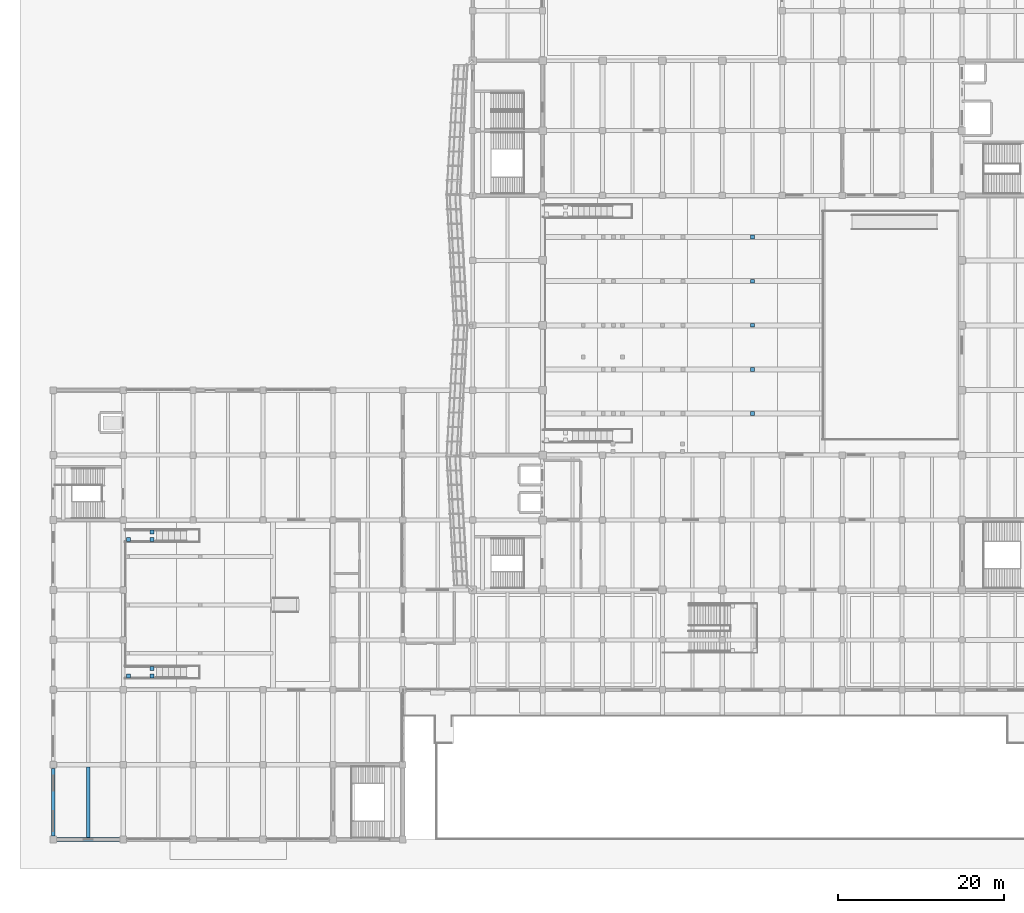
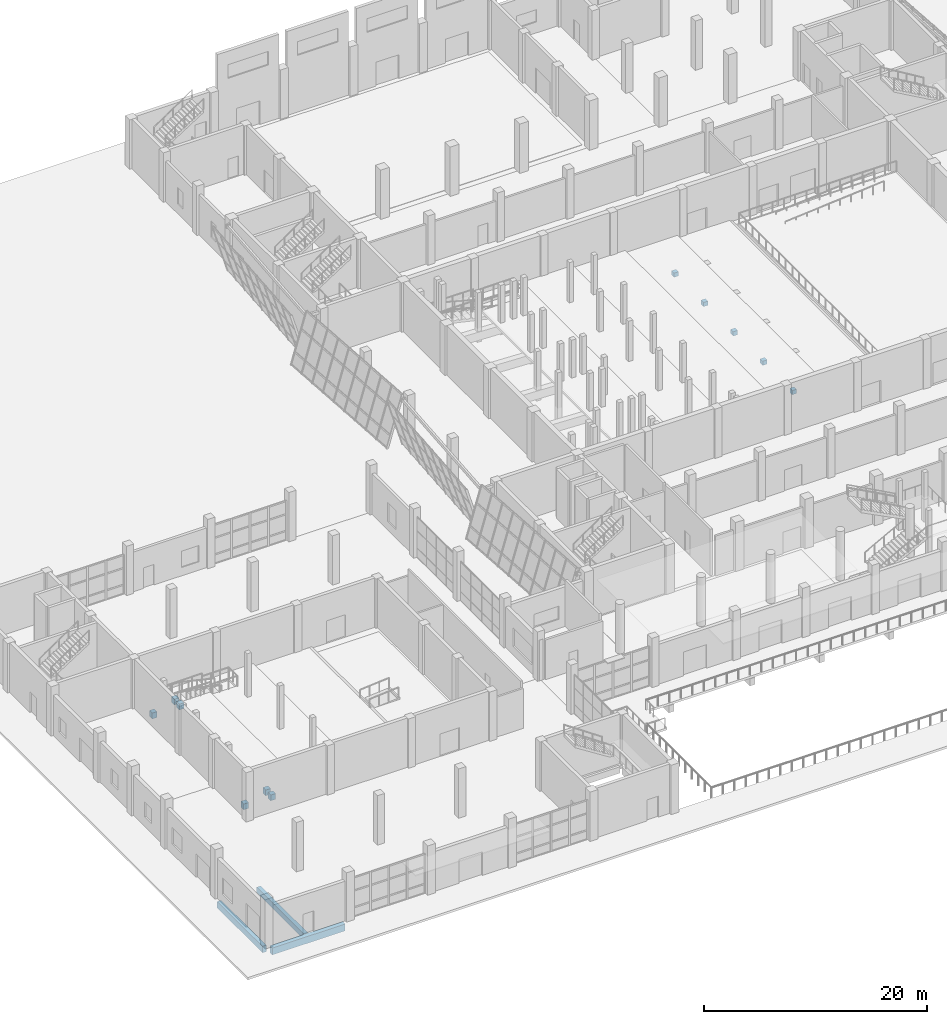
# One storey, part 3 of 78: 11 columns, 3 beams.
"""IFC4 building model written with IfcOpenShell, lengths in metres."""

from ifc_helpers import new_model, si_unit, direction, frame, origin, origin_2d, place, context, subcontext, project, spatial, rectangle, extrude, material, material_profile, profile_set, type_object, element, save


model = new_model("IFC4")

# Units and contexts
model_context = context("Model", 3, precision=1e-05, world=origin(), true_north=direction((0.0, 1.0)))
body_context = subcontext(model_context, "Body", "Model", "MODEL_VIEW")
ifc_project = project(units=[si_unit("LENGTHUNIT", "METRE"), si_unit("AREAUNIT", "SQUARE_METRE"), si_unit("VOLUMEUNIT", "CUBIC_METRE"), si_unit("PLANEANGLEUNIT", "RADIAN"), si_unit("MASSUNIT", "GRAM", prefix="KILO")], contexts=[model_context])

# Site, building, storey
site_placement = place(None, origin())
site = spatial("IfcSite", under=ifc_project, at=site_placement, CompositionType="ELEMENT")
building_placement = place(site_placement, origin())
building = spatial("IfcBuilding", under=site, at=building_placement, Name="Pellamere Symphony Hall", CompositionType="ELEMENT")
storey_placement = place(building_placement, origin())
storey = spatial("IfcBuildingStorey", under=building, at=storey_placement, Name="L00", CompositionType="ELEMENT", Elevation=0.0)

# Columns
ifc_material_1 = material(Name="Concrete 35 MPa", Category="concrete")
ifc_material_profile_1 = material_profile(ifc_material_1, rectangle(XDim=0.5, YDim=0.5, at=origin_2d()), Name="RC 500x500")
ifc_profile_set_1 = profile_set([ifc_material_profile_1], Name="Concrete 35 MPa")
column_type_1 = type_object("IfcColumnType", Name="RC Column CC-10 500x500", PredefinedType="COLUMN", material=ifc_profile_set_1)
for number, where, z_axis, x_axis, name in (
    (1, (9.050048828125, 19.64990234375, 0.0), (0.0, 0.0, 1.0), (1.0, 0.0, 0.0), "Vomitory VOM-05 Arrival Platform Column 1"),
    (2, (11.85009765625, 19.64990234375, 0.0), (0.0, 0.0, 1.0), (1.0, 0.0, 0.0), "Vomitory VOM-05 Arrival Platform Column 2"),
    (3, (11.85009765625, 20.550048828125, 0.0), (0.0, 0.0, 1.0), (1.0, 0.0, 0.0), "Vomitory VOM-05 Arrival Platform Column 3"),
    (4, (9.050048828125, 36.050048828125, 0.0), (0.0, 0.0, 1.0), (1.0, 0.0, 0.0), "Vomitory VOM-06 Arrival Platform Column 1"),
    (5, (11.85009765625, 36.050048828125, 0.0), (0.0, 0.0, 1.0), (1.0, 0.0, 0.0), "Vomitory VOM-06 Arrival Platform Column 2"),
    (6, (11.85009765625, 36.949951171875, 0.0), (0.0, 0.0, 1.0), (1.0, 0.0, 0.0), "Vomitory VOM-06 Arrival Platform Column 3"),
):
    element("IfcColumn", number, at=place(storey_placement, frame(where, z_axis=z_axis, x_axis=x_axis)), inside=storey, type_object=column_type_1, Name=name, PredefinedType="COLUMN", context=body_context, shape_type="SweptSolid", body=[
        extrude(rectangle(XDim=0.5, YDim=0.5, at=origin_2d()), origin(), (0.0, 0.0, 1.0), 0.6298828125),
    ])
ifc_material_2 = material(Name="Concrete 40 MPa", Category="concrete")
ifc_material_profile_2 = material_profile(ifc_material_2, rectangle(XDim=0.449951171875, YDim=0.449951171875, at=origin_2d()), Name="RC 450x450")
ifc_profile_set_2 = profile_set([ifc_material_profile_2], Name="Concrete 40 MPa")
column_type_2 = type_object("IfcColumnType", Name="RC Column CC-18 450x450", PredefinedType="COLUMN", material=ifc_profile_set_2)
for number, where, z_axis, x_axis, name in (
    (7, (84.037109375, 51.199951171875, 0.0), (0.0, 0.0, 1.0), (1.0, 0.0, 0.0), "Under-Tier Raker Support Column RKC-127 (L00)"),
    (8, (84.037109375, 56.5, 0.0), (0.0, 0.0, 1.0), (1.0, 0.0, 0.0), "Under-Tier Raker Support Column RKC-129 (L00)"),
    (9, (84.037109375, 61.800048828125, 0.0), (0.0, 0.0, 1.0), (1.0, 0.0, 0.0), "Under-Tier Raker Support Column RKC-131 (L00)"),
    (10, (84.037109375, 67.10009765625, 0.0), (0.0, 0.0, 1.0), (1.0, 0.0, 0.0), "Under-Tier Raker Support Column RKC-133 (L00)"),
    (11, (84.037109375, 72.39990234375, 0.0), (0.0, 0.0, 1.0), (1.0, 0.0, 0.0), "Under-Tier Raker Support Column RKC-135 (L00)"),
):
    element("IfcColumn", number, at=place(storey_placement, frame(where, z_axis=z_axis, x_axis=x_axis)), inside=storey, type_object=column_type_2, Name=name, PredefinedType="COLUMN", context=body_context, shape_type="SweptSolid", body=[
        extrude(rectangle(XDim=0.449951171875, YDim=0.449951171875, at=origin_2d()), origin(), (0.0, 0.0, 1.0), 0.46240234375),
    ])

# Beams
ifc_material_profile_3 = material_profile(ifc_material_2, rectangle(XDim=0.39990234375, YDim=0.60009765625, at=origin_2d()), Name="RC 400x600")
ifc_profile_set_3 = profile_set([ifc_material_profile_3], Name="Concrete 40 MPa")
beam_type_1 = type_object("IfcBeamType", Name="RC CB-09 400x600", PredefinedType="BEAM", material=ifc_profile_set_3)
beam_1_placement = place(storey_placement, frame((4.199951171875, 0.22509765625, -0.614990234375), z_axis=(0.0, 1.0, 0.0), x_axis=(-1.0, 0.0, 0.0)))
element("IfcBeam", 12, at=beam_1_placement, inside=storey, type_object=beam_type_1, Name="Secondary Floor Beam CB-09-M0000 (L00)", PredefinedType="BEAM", context=body_context, shape_type="SweptSolid", body=[
    extrude(rectangle(XDim=0.39990234375, YDim=0.60009765625, at=origin_2d()), origin(), (0.0, 0.0, 1.0), 8.52490234375),
])
ifc_material_profile_4 = material_profile(ifc_material_2, rectangle(XDim=0.449951171875, YDim=0.75, at=origin_2d()), Name="RC 450x750")
ifc_profile_set_4 = profile_set([ifc_material_profile_4], Name="Concrete 40 MPa")
beam_type_2 = type_object("IfcBeamType", Name="RC CB-12 450x750", PredefinedType="SPANDREL", material=ifc_profile_set_4)
beam_2_placement = place(storey_placement, frame((0.43994140625, 0.0, -0.675048828125), z_axis=(1.0, 0.0, 0.0), x_axis=(0.0, 1.0, 0.0)))
element("IfcBeam", 13, at=beam_2_placement, inside=storey, type_object=beam_type_2, Name="Girder CB-12-X0001 (L00)", PredefinedType="SPANDREL", context=body_context, shape_type="SweptSolid", body=[
    extrude(rectangle(XDim=0.449951171875, YDim=0.75, at=origin_2d()), origin(), (0.0, 0.0, 1.0), 7.52001953125),
])
ifc_material_profile_5 = material_profile(ifc_material_2, rectangle(XDim=0.39990234375, YDim=0.699951171875, at=origin_2d()), Name="RC 400x700")
ifc_profile_set_5 = profile_set([ifc_material_profile_5], Name="Concrete 40 MPa")
beam_type_3 = type_object("IfcBeamType", Name="RC CB-13 400x700", PredefinedType="SPANDREL", material=ifc_profile_set_5)
beam_3_placement = place(storey_placement, frame((0.0, 0.43994140625, -0.64990234375), z_axis=(0.0, 1.0, 0.0), x_axis=(-1.0, 0.0, 0.0)))
element("IfcBeam", 14, at=beam_3_placement, inside=storey, type_object=beam_type_3, Name="Girder CB-13-Y0197 (L00)", PredefinedType="SPANDREL", context=body_context, shape_type="SweptSolid", body=[
    extrude(rectangle(XDim=0.39990234375, YDim=0.699951171875, at=origin_2d()), origin(), (0.0, 0.0, 1.0), 8.1201171875),
])

save(model, "model.ifc")
